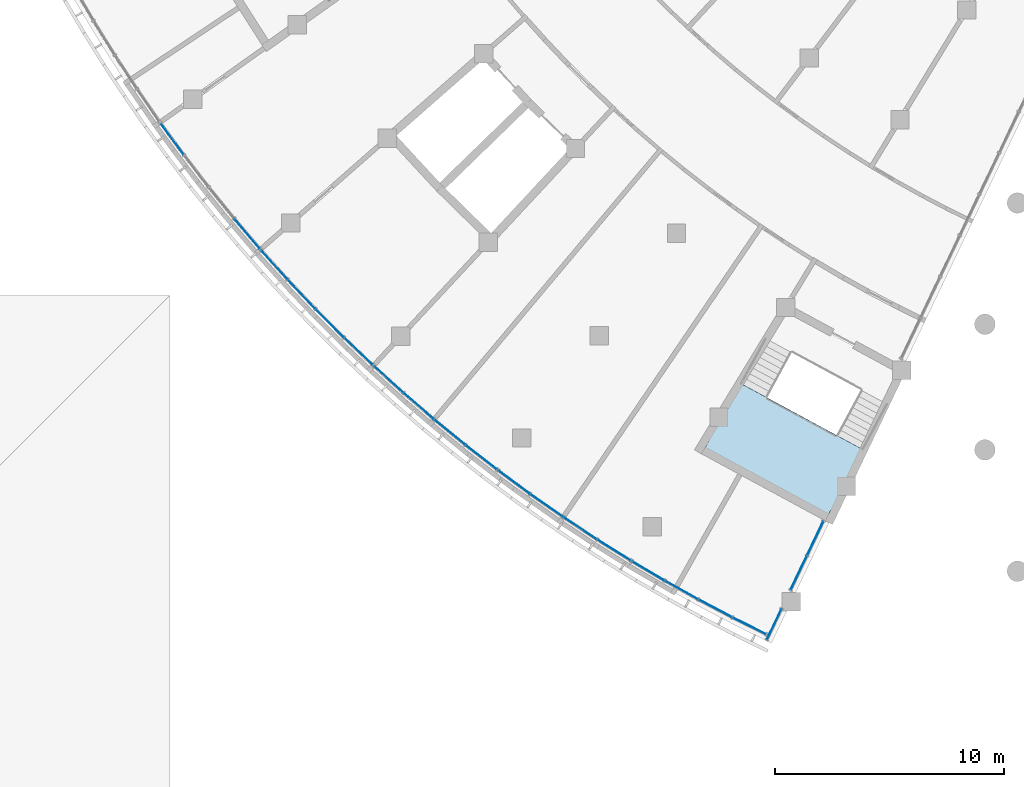
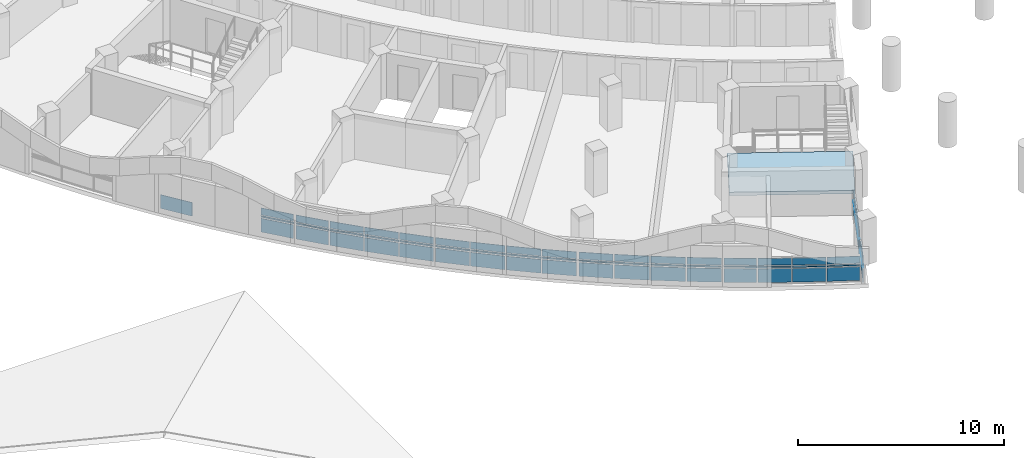
# One storey, part 25 of 89: 61 plates, 1 slab, 8 elements without a shape of their own.
"""IFC4 building model written with IfcOpenShell, lengths in metres."""

from ifc_helpers import new_model, si_unit, direction, frame, origin, origin_2d, place, context, subcontext, project, spatial, polyline, rectangle, outline, extrude, material, layer, layer_set, type_object, element, aggregate, save


model = new_model("IFC4")

# Units and contexts
model_context = context("Model", 3, precision=1e-05, world=origin(), true_north=direction((0.0, 1.0)))
body_context = subcontext(model_context, "Body", "Model", "MODEL_VIEW")
ifc_project = project(units=[si_unit("LENGTHUNIT", "METRE"), si_unit("AREAUNIT", "SQUARE_METRE"), si_unit("VOLUMEUNIT", "CUBIC_METRE"), si_unit("PLANEANGLEUNIT", "RADIAN"), si_unit("MASSUNIT", "GRAM", prefix="KILO")], contexts=[model_context])

# Site, building, storey
site_placement = place(None, origin())
site = spatial("IfcSite", under=ifc_project, at=site_placement, CompositionType="ELEMENT")
building_placement = place(site_placement, origin())
building = spatial("IfcBuilding", under=site, at=building_placement, Name="Bougainvillea Quay General Hospital", CompositionType="ELEMENT")
storey_placement = place(building_placement, frame((0.0, 0.0, 9.89990234375)))
storey = spatial("IfcBuildingStorey", under=building, at=storey_placement, Name="L01M", CompositionType="ELEMENT", Elevation=9.89990234375)

# Curtain wall, plates
ifc_material_1 = material(Name="Aluminium curtain wall system, powder-coated glazed", Category="aluminium")
curtain_wall_type_1 = type_object("IfcCurtainWallType", Name="Unitised curtain wall CW-2100", PredefinedType="NOTDEFINED", material=ifc_material_1)
curtain_wall_1_placement = place(storey_placement, origin())
curtain_wall_1 = element("IfcCurtainWall", 1, at=curtain_wall_1_placement, inside=storey, type_object=curtain_wall_type_1, Name="CW-W01 a01b0", PredefinedType="NOTDEFINED")
ifc_material_2 = material(Name="Insulated aluminium spandrel panel, white", Category="aluminium")
ifc_layer_1 = layer(ifc_material_2, 0.028076171875)
ifc_layer_set_1 = layer_set([ifc_layer_1], Name="Insulated aluminium spandrel panel, white")
plate_type_1 = type_object("IfcPlateType", Name="Insulated spandrel panel white 28", PredefinedType="CURTAIN_PANEL", material=ifc_layer_set_1)
plate_1_placement = place(storey_placement, frame((78.09912109375, 63.573486328125, 0.06005859375), z_axis=(0.0, 0.0, 1.0), x_axis=(-0.895166761772, 0.445731386172, 0.0)))
plate_1 = element("IfcPlate", 2, at=plate_1_placement, type_object=plate_type_1, Name="CW-W01 spandrel panel 1.1", PredefinedType="CURTAIN_PANEL", context=body_context, shape_type="SweptSolid", body=[
    extrude(rectangle(XDim=1.593994140625, YDim=0.028076171875, at=origin_2d()), origin(), (0.0, 0.0, 1.0), 0.81005859375),
])
plate_2_placement = place(storey_placement, frame((78.09912109375, 63.573486328125, 1.080078125), z_axis=(0.0, 0.0, 1.0), x_axis=(-0.895166761772, 0.445731386172, 0.0)))
plate_2 = element("IfcPlate", 3, at=plate_2_placement, type_object=plate_type_1, Name="CW-W01 spandrel panel 1.3", PredefinedType="CURTAIN_PANEL", context=body_context, shape_type="SweptSolid", body=[
    extrude(rectangle(XDim=1.593994140625, YDim=0.028076171875, at=origin_2d()), origin(), (0.0, 0.0, 1.0), 0.409912109375),
])
plate_3_placement = place(storey_placement, frame((76.6142578125, 64.33544921875, 0.06005859375), z_axis=(0.0, 0.0, 1.0), x_axis=(-0.88414485514, 0.467212879884, 0.0)))
plate_3 = element("IfcPlate", 4, at=plate_3_placement, type_object=plate_type_1, Name="CW-W01 spandrel panel 2.1", PredefinedType="CURTAIN_PANEL", context=body_context, shape_type="SweptSolid", body=[
    extrude(rectangle(XDim=1.6240234375, YDim=0.028076171875, at=origin_2d()), origin(), (0.0, 0.0, 1.0), 0.81005859375),
])
plate_4_placement = place(storey_placement, frame((76.6142578125, 64.33544921875, 1.080078125), z_axis=(0.0, 0.0, 1.0), x_axis=(-0.88414485514, 0.467212879884, 0.0)))
plate_4 = element("IfcPlate", 5, at=plate_4_placement, type_object=plate_type_1, Name="CW-W01 spandrel panel 2.3", PredefinedType="CURTAIN_PANEL", context=body_context, shape_type="SweptSolid", body=[
    extrude(rectangle(XDim=1.6240234375, YDim=0.028076171875, at=origin_2d()), origin(), (0.0, 0.0, 1.0), 0.409912109375),
])
plate_5_placement = place(storey_placement, frame((75.135009765625, 65.14013671875, 0.06005859375), z_axis=(0.0, 0.0, 1.0), x_axis=(-0.872607547761, 0.488422017922, 0.0)))
plate_5 = element("IfcPlate", 6, at=plate_5_placement, type_object=plate_type_1, Name="CW-W01 spandrel panel 3.1", PredefinedType="CURTAIN_PANEL", context=body_context, shape_type="SweptSolid", body=[
    extrude(rectangle(XDim=1.6240234375, YDim=0.028076171875, at=origin_2d()), origin(), (0.0, 0.0, 1.0), 0.81005859375),
])
plate_6_placement = place(storey_placement, frame((75.135009765625, 65.14013671875, 1.080078125), z_axis=(0.0, 0.0, 1.0), x_axis=(-0.872607547761, 0.488422017922, 0.0)))
plate_6 = element("IfcPlate", 7, at=plate_6_placement, type_object=plate_type_1, Name="CW-W01 spandrel panel 3.3", PredefinedType="CURTAIN_PANEL", context=body_context, shape_type="SweptSolid", body=[
    extrude(rectangle(XDim=1.6240234375, YDim=0.028076171875, at=origin_2d()), origin(), (0.0, 0.0, 1.0), 0.409912109375),
])
plate_7_placement = place(storey_placement, frame((73.6884765625, 65.97265625, 0.06005859375), z_axis=(0.0, 0.0, 1.0), x_axis=(-0.860561565158, 0.509346436695, 0.0)))
plate_7 = element("IfcPlate", 8, at=plate_7_placement, type_object=plate_type_1, Name="CW-W01 spandrel panel 4.1", PredefinedType="CURTAIN_PANEL", context=body_context, shape_type="SweptSolid", body=[
    extrude(rectangle(XDim=1.593994140625, YDim=0.028076171875, at=origin_2d()), origin(), (0.0, 0.0, 1.0), 0.81005859375),
])
plate_8_placement = place(storey_placement, frame((73.6884765625, 65.97265625, 1.080078125), z_axis=(0.0, 0.0, 1.0), x_axis=(-0.860561565158, 0.509346436695, 0.0)))
plate_8 = element("IfcPlate", 9, at=plate_8_placement, type_object=plate_type_1, Name="CW-W01 spandrel panel 4.3", PredefinedType="CURTAIN_PANEL", context=body_context, shape_type="SweptSolid", body=[
    extrude(rectangle(XDim=1.593994140625, YDim=0.028076171875, at=origin_2d()), origin(), (0.0, 0.0, 1.0), 0.409912109375),
])

curtain_wall_2_placement = place(storey_placement, origin())
curtain_wall_2 = element("IfcCurtainWall", 10, at=curtain_wall_2_placement, inside=storey, type_object=curtain_wall_type_1, Name="CW-W02 a01b1", PredefinedType="NOTDEFINED")
plate_9_placement = place(storey_placement, frame((72.188720703125, 66.88623046875, 0.06005859375), z_axis=(0.0, 0.0, 1.0), x_axis=(-0.847691824545, 0.530488991968, 0.0)))
plate_9 = element("IfcPlate", 11, at=plate_9_placement, type_object=plate_type_1, Name="CW-W02 spandrel panel 1.1", PredefinedType="CURTAIN_PANEL", context=body_context, shape_type="SweptSolid", body=[
    extrude(rectangle(XDim=1.6787109375, YDim=0.028076171875, at=origin_2d()), origin(), (0.0, 0.0, 1.0), 0.81005859375),
])
plate_10_placement = place(storey_placement, frame((72.188720703125, 66.88623046875, 1.080078125), z_axis=(0.0, 0.0, 1.0), x_axis=(-0.847691824545, 0.530488991968, 0.0)))
plate_10 = element("IfcPlate", 12, at=plate_10_placement, type_object=plate_type_1, Name="CW-W02 spandrel panel 1.3", PredefinedType="CURTAIN_PANEL", context=body_context, shape_type="SweptSolid", body=[
    extrude(rectangle(XDim=1.6787109375, YDim=0.028076171875, at=origin_2d()), origin(), (0.0, 0.0, 1.0), 0.409912109375),
])
plate_11_placement = place(storey_placement, frame((70.714111328125, 67.83544921875, 0.06005859375), z_axis=(0.0, 0.0, 1.0), x_axis=(-0.833967694391, 0.551813269787, 0.0)))
plate_11 = element("IfcPlate", 13, at=plate_11_placement, type_object=plate_type_1, Name="CW-W02 spandrel panel 2.1", PredefinedType="CURTAIN_PANEL", context=body_context, shape_type="SweptSolid", body=[
    extrude(rectangle(XDim=1.708740234375, YDim=0.028076171875, at=origin_2d()), origin(), (0.0, 0.0, 1.0), 0.81005859375),
])
plate_12_placement = place(storey_placement, frame((70.714111328125, 67.83544921875, 1.080078125), z_axis=(0.0, 0.0, 1.0), x_axis=(-0.833967694391, 0.551813269787, 0.0)))
plate_12 = element("IfcPlate", 14, at=plate_12_placement, type_object=plate_type_1, Name="CW-W02 spandrel panel 2.3", PredefinedType="CURTAIN_PANEL", context=body_context, shape_type="SweptSolid", body=[
    extrude(rectangle(XDim=1.708740234375, YDim=0.028076171875, at=origin_2d()), origin(), (0.0, 0.0, 1.0), 0.409912109375),
])
plate_13_placement = place(storey_placement, frame((69.251708984375, 68.830078125, 0.06005859375), z_axis=(0.0, 0.0, 1.0), x_axis=(-0.819707259149, 0.572782689419, 0.0)))
plate_13 = element("IfcPlate", 15, at=plate_13_placement, type_object=plate_type_1, Name="CW-W02 spandrel panel 3.1", PredefinedType="CURTAIN_PANEL", context=body_context, shape_type="SweptSolid", body=[
    extrude(rectangle(XDim=1.708740234375, YDim=0.028076171875, at=origin_2d()), origin(), (0.0, 0.0, 1.0), 0.81005859375),
])
plate_14_placement = place(storey_placement, frame((69.251708984375, 68.830078125, 1.080078125), z_axis=(0.0, 0.0, 1.0), x_axis=(-0.819707259149, 0.572782689419, 0.0)))
plate_14 = element("IfcPlate", 16, at=plate_14_placement, type_object=plate_type_1, Name="CW-W02 spandrel panel 3.3", PredefinedType="CURTAIN_PANEL", context=body_context, shape_type="SweptSolid", body=[
    extrude(rectangle(XDim=1.708740234375, YDim=0.028076171875, at=origin_2d()), origin(), (0.0, 0.0, 1.0), 0.409912109375),
])
plate_15_placement = place(storey_placement, frame((67.826904296875, 69.8525390625, 0.06005859375), z_axis=(0.0, 0.0, 1.0), x_axis=(-0.804919689373, 0.593383765922, 0.0)))
plate_15 = element("IfcPlate", 17, at=plate_15_placement, type_object=plate_type_1, Name="CW-W02 spandrel panel 4.1", PredefinedType="CURTAIN_PANEL", context=body_context, shape_type="SweptSolid", body=[
    extrude(rectangle(XDim=1.6787109375, YDim=0.028076171875, at=origin_2d()), origin(), (0.0, 0.0, 1.0), 0.81005859375),
])
plate_16_placement = place(storey_placement, frame((67.826904296875, 69.8525390625, 1.080078125), z_axis=(0.0, 0.0, 1.0), x_axis=(-0.804919689373, 0.593383765922, 0.0)))
plate_16 = element("IfcPlate", 18, at=plate_16_placement, type_object=plate_type_1, Name="CW-W02 spandrel panel 4.3", PredefinedType="CURTAIN_PANEL", context=body_context, shape_type="SweptSolid", body=[
    extrude(rectangle(XDim=1.6787109375, YDim=0.028076171875, at=origin_2d()), origin(), (0.0, 0.0, 1.0), 0.409912109375),
])

curtain_wall_3_placement = place(storey_placement, origin())
curtain_wall_3 = element("IfcCurtainWall", 19, at=curtain_wall_3_placement, inside=storey, type_object=curtain_wall_type_1, Name="CW-W03 a01b2", PredefinedType="NOTDEFINED")
plate_17_placement = place(storey_placement, frame((66.392822265625, 70.93798828125, 0.06005859375), z_axis=(0.0, 0.0, 1.0), x_axis=(-0.789614494602, 0.613603251226, 0.0)))
plate_17 = element("IfcPlate", 20, at=plate_17_placement, type_object=plate_type_1, Name="CW-W03 spandrel panel 1.1", PredefinedType="CURTAIN_PANEL", context=body_context, shape_type="SweptSolid", body=[
    extrude(rectangle(XDim=1.6787109375, YDim=0.028076171875, at=origin_2d()), origin(), (0.0, 0.0, 1.0), 0.81005859375),
])
plate_18_placement = place(storey_placement, frame((66.392822265625, 70.93798828125, 1.080078125), z_axis=(0.0, 0.0, 1.0), x_axis=(-0.789614494602, 0.613603251226, 0.0)))
plate_18 = element("IfcPlate", 21, at=plate_18_placement, type_object=plate_type_1, Name="CW-W03 spandrel panel 1.3", PredefinedType="CURTAIN_PANEL", context=body_context, shape_type="SweptSolid", body=[
    extrude(rectangle(XDim=1.6787109375, YDim=0.028076171875, at=origin_2d()), origin(), (0.0, 0.0, 1.0), 0.409912109375),
])
plate_19_placement = place(storey_placement, frame((65.02197265625, 72.03173828125, 0.06005859375), z_axis=(0.0, 0.0, 1.0), x_axis=(-0.773801517247, 0.633428142654, 0.0)))
plate_19 = element("IfcPlate", 22, at=plate_19_placement, type_object=plate_type_1, Name="CW-W03 spandrel panel 2.1", PredefinedType="CURTAIN_PANEL", context=body_context, shape_type="SweptSolid", body=[
    extrude(rectangle(XDim=1.708740234375, YDim=0.028076171875, at=origin_2d()), origin(), (0.0, 0.0, 1.0), 0.81005859375),
])
plate_20_placement = place(storey_placement, frame((65.02197265625, 72.03173828125, 1.080078125), z_axis=(0.0, 0.0, 1.0), x_axis=(-0.773801517247, 0.633428142654, 0.0)))
plate_20 = element("IfcPlate", 23, at=plate_20_placement, type_object=plate_type_1, Name="CW-W03 spandrel panel 2.3", PredefinedType="CURTAIN_PANEL", context=body_context, shape_type="SweptSolid", body=[
    extrude(rectangle(XDim=1.708740234375, YDim=0.028076171875, at=origin_2d()), origin(), (0.0, 0.0, 1.0), 0.409912109375),
])
plate_21_placement = place(storey_placement, frame((63.667724609375, 73.169189453125, 0.06005859375), z_axis=(0.0, 0.0, 1.0), x_axis=(-0.757490926264, 0.652845691283, 0.0)))
plate_21 = element("IfcPlate", 24, at=plate_21_placement, type_object=plate_type_1, Name="CW-W03 spandrel panel 3.1", PredefinedType="CURTAIN_PANEL", context=body_context, shape_type="SweptSolid", body=[
    extrude(rectangle(XDim=1.708740234375, YDim=0.028076171875, at=origin_2d()), origin(), (0.0, 0.0, 1.0), 0.81005859375),
])
plate_22_placement = place(storey_placement, frame((63.667724609375, 73.169189453125, 1.080078125), z_axis=(0.0, 0.0, 1.0), x_axis=(-0.757490926264, 0.652845691283, 0.0)))
plate_22 = element("IfcPlate", 25, at=plate_22_placement, type_object=plate_type_1, Name="CW-W03 spandrel panel 3.3", PredefinedType="CURTAIN_PANEL", context=body_context, shape_type="SweptSolid", body=[
    extrude(rectangle(XDim=1.708740234375, YDim=0.028076171875, at=origin_2d()), origin(), (0.0, 0.0, 1.0), 0.409912109375),
])
plate_23_placement = place(storey_placement, frame((62.353759765625, 74.330810546875, 0.06005859375), z_axis=(0.0, 0.0, 1.0), x_axis=(-0.740693210613, 0.671843410143, 0.0)))
plate_23 = element("IfcPlate", 26, at=plate_23_placement, type_object=plate_type_1, Name="CW-W03 spandrel panel 4.1", PredefinedType="CURTAIN_PANEL", context=body_context, shape_type="SweptSolid", body=[
    extrude(rectangle(XDim=1.6787109375, YDim=0.028076171875, at=origin_2d()), origin(), (0.0, 0.0, 1.0), 0.81005859375),
])
plate_24_placement = place(storey_placement, frame((62.353759765625, 74.330810546875, 1.080078125), z_axis=(0.0, 0.0, 1.0), x_axis=(-0.740693210613, 0.671843410143, 0.0)))
plate_24 = element("IfcPlate", 27, at=plate_24_placement, type_object=plate_type_1, Name="CW-W03 spandrel panel 4.3", PredefinedType="CURTAIN_PANEL", context=body_context, shape_type="SweptSolid", body=[
    extrude(rectangle(XDim=1.6787109375, YDim=0.028076171875, at=origin_2d()), origin(), (0.0, 0.0, 1.0), 0.409912109375),
])

curtain_wall_4_placement = place(storey_placement, origin())
curtain_wall_4 = element("IfcCurtainWall", 28, at=curtain_wall_4_placement, inside=storey, type_object=curtain_wall_type_1, Name="CW-W04 a01b3", PredefinedType="NOTDEFINED")
plate_25_placement = place(storey_placement, frame((61.037109375, 75.555908203125, 0.06005859375), z_axis=(0.0, 0.0, 1.0), x_axis=(-0.72341917251, 0.690409082244, 0.0)))
plate_25 = element("IfcPlate", 29, at=plate_25_placement, type_object=plate_type_1, Name="CW-W04 spandrel panel 1.1", PredefinedType="CURTAIN_PANEL", context=body_context, shape_type="SweptSolid", body=[
    extrude(rectangle(XDim=1.6787109375, YDim=0.028076171875, at=origin_2d()), origin(), (0.0, 0.0, 1.0), 0.81005859375),
])
plate_26_placement = place(storey_placement, frame((61.037109375, 75.555908203125, 1.080078125), z_axis=(0.0, 0.0, 1.0), x_axis=(-0.72341917251, 0.690409082244, 0.0)))
plate_26 = element("IfcPlate", 30, at=plate_26_placement, type_object=plate_type_1, Name="CW-W04 spandrel panel 1.3", PredefinedType="CURTAIN_PANEL", context=body_context, shape_type="SweptSolid", body=[
    extrude(rectangle(XDim=1.6787109375, YDim=0.028076171875, at=origin_2d()), origin(), (0.0, 0.0, 1.0), 0.409912109375),
])
plate_27_placement = place(storey_placement, frame((59.783935546875, 76.78271484375, 0.06005859375), z_axis=(0.0, 0.0, 1.0), x_axis=(-0.705679920485, 0.708530768439, 0.0)))
plate_27 = element("IfcPlate", 31, at=plate_27_placement, type_object=plate_type_1, Name="CW-W04 spandrel panel 2.1", PredefinedType="CURTAIN_PANEL", context=body_context, shape_type="SweptSolid", body=[
    extrude(rectangle(XDim=1.708740234375, YDim=0.028076171875, at=origin_2d()), origin(), (0.0, 0.0, 1.0), 0.81005859375),
])
plate_28_placement = place(storey_placement, frame((59.783935546875, 76.78271484375, 1.080078125), z_axis=(0.0, 0.0, 1.0), x_axis=(-0.705679920485, 0.708530768439, 0.0)))
plate_28 = element("IfcPlate", 32, at=plate_28_placement, type_object=plate_type_1, Name="CW-W04 spandrel panel 2.3", PredefinedType="CURTAIN_PANEL", context=body_context, shape_type="SweptSolid", body=[
    extrude(rectangle(XDim=1.708740234375, YDim=0.028076171875, at=origin_2d()), origin(), (0.0, 0.0, 1.0), 0.409912109375),
])
plate_29_placement = place(storey_placement, frame((58.5517578125, 78.0517578125, 0.06005859375), z_axis=(0.0, 0.0, 1.0), x_axis=(-0.687486862234, 0.726196815096, 0.0)))
plate_29 = element("IfcPlate", 33, at=plate_29_placement, type_object=plate_type_1, Name="CW-W04 spandrel panel 3.1", PredefinedType="CURTAIN_PANEL", context=body_context, shape_type="SweptSolid", body=[
    extrude(rectangle(XDim=1.708740234375, YDim=0.028076171875, at=origin_2d()), origin(), (0.0, 0.0, 1.0), 0.81005859375),
])
plate_30_placement = place(storey_placement, frame((58.5517578125, 78.0517578125, 1.080078125), z_axis=(0.0, 0.0, 1.0), x_axis=(-0.687486862234, 0.726196815096, 0.0)))
plate_30 = element("IfcPlate", 34, at=plate_30_placement, type_object=plate_type_1, Name="CW-W04 spandrel panel 3.3", PredefinedType="CURTAIN_PANEL", context=body_context, shape_type="SweptSolid", body=[
    extrude(rectangle(XDim=1.708740234375, YDim=0.028076171875, at=origin_2d()), origin(), (0.0, 0.0, 1.0), 0.409912109375),
])
plate_31_placement = place(storey_placement, frame((57.3623046875, 79.340087890625, 0.06005859375), z_axis=(0.0, 0.0, 1.0), x_axis=(-0.668851697289, 0.743395861593, 0.0)))
plate_31 = element("IfcPlate", 35, at=plate_31_placement, type_object=plate_type_1, Name="CW-W04 spandrel panel 4.1", PredefinedType="CURTAIN_PANEL", context=body_context, shape_type="SweptSolid", body=[
    extrude(rectangle(XDim=1.6787109375, YDim=0.028076171875, at=origin_2d()), origin(), (0.0, 0.0, 1.0), 0.81005859375),
])
plate_32_placement = place(storey_placement, frame((57.3623046875, 79.340087890625, 1.080078125), z_axis=(0.0, 0.0, 1.0), x_axis=(-0.668851697289, 0.743395861593, 0.0)))
plate_32 = element("IfcPlate", 36, at=plate_32_placement, type_object=plate_type_1, Name="CW-W04 spandrel panel 4.3", PredefinedType="CURTAIN_PANEL", context=body_context, shape_type="SweptSolid", body=[
    extrude(rectangle(XDim=1.6787109375, YDim=0.028076171875, at=origin_2d()), origin(), (0.0, 0.0, 1.0), 0.409912109375),
])

curtain_wall_5_placement = place(storey_placement, origin())
curtain_wall_5 = element("IfcCurtainWall", 37, at=curtain_wall_5_placement, inside=storey, type_object=curtain_wall_type_1, Name="CW-W05 a01b4", PredefinedType="NOTDEFINED")
plate_33_placement = place(storey_placement, frame((56.17626953125, 80.6923828125, 0.06005859375), z_axis=(0.0, 0.0, 1.0), x_axis=(-0.649786409486, 0.760116847627, 0.0)))
plate_33 = element("IfcPlate", 38, at=plate_33_placement, type_object=plate_type_1, Name="CW-W05 spandrel panel 1.1", PredefinedType="CURTAIN_PANEL", context=body_context, shape_type="SweptSolid", body=[
    extrude(rectangle(XDim=1.6787109375, YDim=0.028076171875, at=origin_2d()), origin(), (0.0, 0.0, 1.0), 0.81005859375),
])
plate_34_placement = place(storey_placement, frame((56.17626953125, 80.6923828125, 1.080078125), z_axis=(0.0, 0.0, 1.0), x_axis=(-0.649786409486, 0.760116847627, 0.0)))
plate_34 = element("IfcPlate", 39, at=plate_34_placement, type_object=plate_type_1, Name="CW-W05 spandrel panel 1.3", PredefinedType="CURTAIN_PANEL", context=body_context, shape_type="SweptSolid", body=[
    extrude(rectangle(XDim=1.6787109375, YDim=0.028076171875, at=origin_2d()), origin(), (0.0, 0.0, 1.0), 0.409912109375),
])
plate_35_placement = place(storey_placement, frame((52.90380859375, 84.829345703125, 0.06005859375), z_axis=(0.0, 0.0, 1.0), x_axis=(-0.590133748864, 0.807305492643, 0.0)))
plate_35 = element("IfcPlate", 40, at=plate_35_placement, type_object=plate_type_1, Name="CW-W05 spandrel panel 4.1", PredefinedType="CURTAIN_PANEL", context=body_context, shape_type="SweptSolid", body=[
    extrude(rectangle(XDim=1.6787109375, YDim=0.028076171875, at=origin_2d()), origin(), (0.0, 0.0, 1.0), 0.81005859375),
])

curtain_wall_type_2 = type_object("IfcCurtainWallType", Name="Unitised curtain wall CW-1580", PredefinedType="NOTDEFINED", material=ifc_material_1)
curtain_wall_6_placement = place(storey_placement, origin())
curtain_wall_6 = element("IfcCurtainWall", 41, at=curtain_wall_6_placement, inside=storey, type_object=curtain_wall_type_2, Name="CW-AE 00", PredefinedType="NOTDEFINED")
plate_36_placement = place(storey_placement, frame((79.178466796875, 63.6396484375, 0.06005859375), z_axis=(0.0, 0.0, 1.0), x_axis=(0.430525444112, 0.902578440897, 0.0)))
plate_36 = element("IfcPlate", 42, at=plate_36_placement, type_object=plate_type_1, Name="CW-AE spandrel panel 1.1", PredefinedType="CURTAIN_PANEL", context=body_context, shape_type="SweptSolid", body=[
    extrude(rectangle(XDim=1.459716796875, YDim=0.028076171875, at=origin_2d()), origin(), (0.0, 0.0, 1.0), 0.81005859375),
])
plate_37_placement = place(storey_placement, frame((79.178466796875, 63.6396484375, 1.080078125), z_axis=(0.0, 0.0, 1.0), x_axis=(0.430525444112, 0.902578440897, 0.0)))
plate_37 = element("IfcPlate", 43, at=plate_37_placement, type_object=plate_type_1, Name="CW-AE spandrel panel 1.3", PredefinedType="CURTAIN_PANEL", context=body_context, shape_type="SweptSolid", body=[
    extrude(rectangle(XDim=1.459716796875, YDim=0.028076171875, at=origin_2d()), origin(), (0.0, 0.0, 1.0), 0.409912109375),
])

curtain_wall_type_3 = type_object("IfcCurtainWallType", Name="Unitised curtain wall CW-1703", PredefinedType="NOTDEFINED", material=ifc_material_1)
curtain_wall_7_placement = place(storey_placement, origin())
curtain_wall_7 = element("IfcCurtainWall", 44, at=curtain_wall_7_placement, inside=storey, type_object=curtain_wall_type_3, Name="CW-AE 01", PredefinedType="NOTDEFINED")
plate_38_placement = place(storey_placement, frame((80.253173828125, 65.892822265625, 0.06005859375), z_axis=(0.0, 0.0, 1.0), x_axis=(0.430525444112, 0.902578440897, 0.0)))
plate_38 = element("IfcPlate", 45, at=plate_38_placement, type_object=plate_type_1, Name="CW-AE spandrel panel 1.1", PredefinedType="CURTAIN_PANEL", context=body_context, shape_type="SweptSolid", body=[
    extrude(rectangle(XDim=1.61279296875, YDim=0.028076171875, at=origin_2d()), origin(), (0.0, 0.0, 1.0), 0.81005859375),
])
plate_39_placement = place(storey_placement, frame((80.253173828125, 65.892822265625, 1.080078125), z_axis=(0.0, 0.0, 1.0), x_axis=(0.430525444112, 0.902578440897, 0.0)))
plate_39 = element("IfcPlate", 46, at=plate_39_placement, type_object=plate_type_1, Name="CW-AE spandrel panel 1.3", PredefinedType="CURTAIN_PANEL", context=body_context, shape_type="SweptSolid", body=[
    extrude(rectangle(XDim=1.61279296875, YDim=0.028076171875, at=origin_2d()), origin(), (0.0, 0.0, 1.0), 0.409912109375),
])
plate_40_placement = place(storey_placement, frame((80.973388671875, 67.402587890625, 0.06005859375), z_axis=(0.0, 0.0, 1.0), x_axis=(0.430525444112, 0.902578440897, 0.0)))
plate_40 = element("IfcPlate", 47, at=plate_40_placement, type_object=plate_type_1, Name="CW-AE spandrel panel 2.1", PredefinedType="CURTAIN_PANEL", context=body_context, shape_type="SweptSolid", body=[
    extrude(rectangle(XDim=1.61279296875, YDim=0.028076171875, at=origin_2d()), origin(), (0.0, 0.0, 1.0), 0.81005859375),
])
plate_41_placement = place(storey_placement, frame((80.973388671875, 67.402587890625, 1.080078125), z_axis=(0.0, 0.0, 1.0), x_axis=(0.430525444112, 0.902578440897, 0.0)))
plate_41 = element("IfcPlate", 48, at=plate_41_placement, type_object=plate_type_1, Name="CW-AE spandrel panel 2.3", PredefinedType="CURTAIN_PANEL", context=body_context, shape_type="SweptSolid", body=[
    extrude(rectangle(XDim=1.61279296875, YDim=0.028076171875, at=origin_2d()), origin(), (0.0, 0.0, 1.0), 0.409912109375),
])

# Plate
ifc_material_3 = material(Name="Low-e laminated glass, solar control", Category="glass")
ifc_layer_2 = layer(ifc_material_3, 0.028076171875)
ifc_layer_set_2 = layer_set([ifc_layer_2], Name="Low-e laminated glass, solar control")
plate_type_2 = type_object("IfcPlateType", Name="Low-e laminated vision glass 28", PredefinedType="CURTAIN_PANEL", material=ifc_layer_set_2)
plate_42_placement = place(storey_placement, frame((78.09912109375, 63.573486328125, 0.93017578125), z_axis=(0.0, 0.0, 1.0), x_axis=(-0.895166761772, 0.445731386172, 0.0)))
plate_42 = element("IfcPlate", 49, at=plate_42_placement, type_object=plate_type_2, Name="CW-W01 vision glass panel 1.2", PredefinedType="CURTAIN_PANEL", context=body_context, shape_type="SweptSolid", body=[
    extrude(rectangle(XDim=1.593994140625, YDim=0.028076171875, at=origin_2d()), origin(), (0.0, 0.0, 1.0), 0.090087890625),
])

plate_43_placement = place(storey_placement, frame((76.6142578125, 64.33544921875, 0.93017578125), z_axis=(0.0, 0.0, 1.0), x_axis=(-0.88414485514, 0.467212879884, 0.0)))
plate_43 = element("IfcPlate", 50, at=plate_43_placement, type_object=plate_type_2, Name="CW-W01 vision glass panel 2.2", PredefinedType="CURTAIN_PANEL", context=body_context, shape_type="SweptSolid", body=[
    extrude(rectangle(XDim=1.6240234375, YDim=0.028076171875, at=origin_2d()), origin(), (0.0, 0.0, 1.0), 0.090087890625),
])

plate_44_placement = place(storey_placement, frame((75.135009765625, 65.14013671875, 0.93017578125), z_axis=(0.0, 0.0, 1.0), x_axis=(-0.872607547761, 0.488422017922, 0.0)))
plate_44 = element("IfcPlate", 51, at=plate_44_placement, type_object=plate_type_2, Name="CW-W01 vision glass panel 3.2", PredefinedType="CURTAIN_PANEL", context=body_context, shape_type="SweptSolid", body=[
    extrude(rectangle(XDim=1.6240234375, YDim=0.028076171875, at=origin_2d()), origin(), (0.0, 0.0, 1.0), 0.090087890625),
])

plate_45_placement = place(storey_placement, frame((73.6884765625, 65.97265625, 0.93017578125), z_axis=(0.0, 0.0, 1.0), x_axis=(-0.860561565158, 0.509346436695, 0.0)))
plate_45 = element("IfcPlate", 52, at=plate_45_placement, type_object=plate_type_2, Name="CW-W01 vision glass panel 4.2", PredefinedType="CURTAIN_PANEL", context=body_context, shape_type="SweptSolid", body=[
    extrude(rectangle(XDim=1.593994140625, YDim=0.028076171875, at=origin_2d()), origin(), (0.0, 0.0, 1.0), 0.090087890625),
])

aggregate(curtain_wall_1, [plate_1, plate_42, plate_2, plate_3, plate_43, plate_4, plate_5, plate_44, plate_6, plate_7, plate_45, plate_8])

plate_46_placement = place(storey_placement, frame((72.188720703125, 66.88623046875, 0.93017578125), z_axis=(0.0, 0.0, 1.0), x_axis=(-0.847691824545, 0.530488991968, 0.0)))
plate_46 = element("IfcPlate", 53, at=plate_46_placement, type_object=plate_type_2, Name="CW-W02 vision glass panel 1.2", PredefinedType="CURTAIN_PANEL", context=body_context, shape_type="SweptSolid", body=[
    extrude(rectangle(XDim=1.6787109375, YDim=0.028076171875, at=origin_2d()), origin(), (0.0, 0.0, 1.0), 0.090087890625),
])

plate_47_placement = place(storey_placement, frame((70.714111328125, 67.83544921875, 0.93017578125), z_axis=(0.0, 0.0, 1.0), x_axis=(-0.833967694391, 0.551813269787, 0.0)))
plate_47 = element("IfcPlate", 54, at=plate_47_placement, type_object=plate_type_2, Name="CW-W02 vision glass panel 2.2", PredefinedType="CURTAIN_PANEL", context=body_context, shape_type="SweptSolid", body=[
    extrude(rectangle(XDim=1.708740234375, YDim=0.028076171875, at=origin_2d()), origin(), (0.0, 0.0, 1.0), 0.090087890625),
])

plate_48_placement = place(storey_placement, frame((69.251708984375, 68.830078125, 0.93017578125), z_axis=(0.0, 0.0, 1.0), x_axis=(-0.819707259149, 0.572782689419, 0.0)))
plate_48 = element("IfcPlate", 55, at=plate_48_placement, type_object=plate_type_2, Name="CW-W02 vision glass panel 3.2", PredefinedType="CURTAIN_PANEL", context=body_context, shape_type="SweptSolid", body=[
    extrude(rectangle(XDim=1.708740234375, YDim=0.028076171875, at=origin_2d()), origin(), (0.0, 0.0, 1.0), 0.090087890625),
])

plate_49_placement = place(storey_placement, frame((67.826904296875, 69.8525390625, 0.93017578125), z_axis=(0.0, 0.0, 1.0), x_axis=(-0.804919689373, 0.593383765922, 0.0)))
plate_49 = element("IfcPlate", 56, at=plate_49_placement, type_object=plate_type_2, Name="CW-W02 vision glass panel 4.2", PredefinedType="CURTAIN_PANEL", context=body_context, shape_type="SweptSolid", body=[
    extrude(rectangle(XDim=1.6787109375, YDim=0.028076171875, at=origin_2d()), origin(), (0.0, 0.0, 1.0), 0.090087890625),
])

aggregate(curtain_wall_2, [plate_9, plate_46, plate_10, plate_11, plate_47, plate_12, plate_13, plate_48, plate_14, plate_15, plate_49, plate_16])

plate_50_placement = place(storey_placement, frame((66.392822265625, 70.93798828125, 0.93017578125), z_axis=(0.0, 0.0, 1.0), x_axis=(-0.789614494602, 0.613603251226, 0.0)))
plate_50 = element("IfcPlate", 57, at=plate_50_placement, type_object=plate_type_2, Name="CW-W03 vision glass panel 1.2", PredefinedType="CURTAIN_PANEL", context=body_context, shape_type="SweptSolid", body=[
    extrude(rectangle(XDim=1.6787109375, YDim=0.028076171875, at=origin_2d()), origin(), (0.0, 0.0, 1.0), 0.090087890625),
])

plate_51_placement = place(storey_placement, frame((65.02197265625, 72.03173828125, 0.93017578125), z_axis=(0.0, 0.0, 1.0), x_axis=(-0.773801517247, 0.633428142654, 0.0)))
plate_51 = element("IfcPlate", 58, at=plate_51_placement, type_object=plate_type_2, Name="CW-W03 vision glass panel 2.2", PredefinedType="CURTAIN_PANEL", context=body_context, shape_type="SweptSolid", body=[
    extrude(rectangle(XDim=1.708740234375, YDim=0.028076171875, at=origin_2d()), origin(), (0.0, 0.0, 1.0), 0.090087890625),
])

plate_52_placement = place(storey_placement, frame((63.667724609375, 73.169189453125, 0.93017578125), z_axis=(0.0, 0.0, 1.0), x_axis=(-0.757490926264, 0.652845691283, 0.0)))
plate_52 = element("IfcPlate", 59, at=plate_52_placement, type_object=plate_type_2, Name="CW-W03 vision glass panel 3.2", PredefinedType="CURTAIN_PANEL", context=body_context, shape_type="SweptSolid", body=[
    extrude(rectangle(XDim=1.708740234375, YDim=0.028076171875, at=origin_2d()), origin(), (0.0, 0.0, 1.0), 0.090087890625),
])

plate_53_placement = place(storey_placement, frame((62.353759765625, 74.330810546875, 0.93017578125), z_axis=(0.0, 0.0, 1.0), x_axis=(-0.740693210613, 0.671843410143, 0.0)))
plate_53 = element("IfcPlate", 60, at=plate_53_placement, type_object=plate_type_2, Name="CW-W03 vision glass panel 4.2", PredefinedType="CURTAIN_PANEL", context=body_context, shape_type="SweptSolid", body=[
    extrude(rectangle(XDim=1.6787109375, YDim=0.028076171875, at=origin_2d()), origin(), (0.0, 0.0, 1.0), 0.090087890625),
])

aggregate(curtain_wall_3, [plate_17, plate_50, plate_18, plate_19, plate_51, plate_20, plate_21, plate_52, plate_22, plate_23, plate_53, plate_24])

plate_54_placement = place(storey_placement, frame((61.037109375, 75.555908203125, 0.93017578125), z_axis=(0.0, 0.0, 1.0), x_axis=(-0.72341917251, 0.690409082244, 0.0)))
plate_54 = element("IfcPlate", 61, at=plate_54_placement, type_object=plate_type_2, Name="CW-W04 vision glass panel 1.2", PredefinedType="CURTAIN_PANEL", context=body_context, shape_type="SweptSolid", body=[
    extrude(rectangle(XDim=1.6787109375, YDim=0.028076171875, at=origin_2d()), origin(), (0.0, 0.0, 1.0), 0.090087890625),
])

plate_55_placement = place(storey_placement, frame((59.783935546875, 76.78271484375, 0.93017578125), z_axis=(0.0, 0.0, 1.0), x_axis=(-0.705679920485, 0.708530768439, 0.0)))
plate_55 = element("IfcPlate", 62, at=plate_55_placement, type_object=plate_type_2, Name="CW-W04 vision glass panel 2.2", PredefinedType="CURTAIN_PANEL", context=body_context, shape_type="SweptSolid", body=[
    extrude(rectangle(XDim=1.708740234375, YDim=0.028076171875, at=origin_2d()), origin(), (0.0, 0.0, 1.0), 0.090087890625),
])

plate_56_placement = place(storey_placement, frame((58.5517578125, 78.0517578125, 0.93017578125), z_axis=(0.0, 0.0, 1.0), x_axis=(-0.687486862234, 0.726196815096, 0.0)))
plate_56 = element("IfcPlate", 63, at=plate_56_placement, type_object=plate_type_2, Name="CW-W04 vision glass panel 3.2", PredefinedType="CURTAIN_PANEL", context=body_context, shape_type="SweptSolid", body=[
    extrude(rectangle(XDim=1.708740234375, YDim=0.028076171875, at=origin_2d()), origin(), (0.0, 0.0, 1.0), 0.090087890625),
])

plate_57_placement = place(storey_placement, frame((57.3623046875, 79.340087890625, 0.93017578125), z_axis=(0.0, 0.0, 1.0), x_axis=(-0.668851697289, 0.743395861593, 0.0)))
plate_57 = element("IfcPlate", 64, at=plate_57_placement, type_object=plate_type_2, Name="CW-W04 vision glass panel 4.2", PredefinedType="CURTAIN_PANEL", context=body_context, shape_type="SweptSolid", body=[
    extrude(rectangle(XDim=1.6787109375, YDim=0.028076171875, at=origin_2d()), origin(), (0.0, 0.0, 1.0), 0.090087890625),
])

aggregate(curtain_wall_4, [plate_25, plate_54, plate_26, plate_27, plate_55, plate_28, plate_29, plate_56, plate_30, plate_31, plate_57, plate_32])

plate_58_placement = place(storey_placement, frame((56.17626953125, 80.6923828125, 0.93017578125), z_axis=(0.0, 0.0, 1.0), x_axis=(-0.649786409486, 0.760116847627, 0.0)))
plate_58 = element("IfcPlate", 65, at=plate_58_placement, type_object=plate_type_2, Name="CW-W05 vision glass panel 1.2", PredefinedType="CURTAIN_PANEL", context=body_context, shape_type="SweptSolid", body=[
    extrude(rectangle(XDim=1.6787109375, YDim=0.028076171875, at=origin_2d()), origin(), (0.0, 0.0, 1.0), 0.090087890625),
])

aggregate(curtain_wall_5, [plate_33, plate_58, plate_34, plate_35])

plate_59_placement = place(storey_placement, frame((79.178466796875, 63.6396484375, 0.93017578125), z_axis=(0.0, 0.0, 1.0), x_axis=(0.430525444112, 0.902578440897, 0.0)))
plate_59 = element("IfcPlate", 66, at=plate_59_placement, type_object=plate_type_2, Name="CW-AE vision glass panel 1.2", PredefinedType="CURTAIN_PANEL", context=body_context, shape_type="SweptSolid", body=[
    extrude(rectangle(XDim=1.459716796875, YDim=0.028076171875, at=origin_2d()), origin(), (0.0, 0.0, 1.0), 0.090087890625),
])

aggregate(curtain_wall_6, [plate_36, plate_59, plate_37])

plate_60_placement = place(storey_placement, frame((80.253173828125, 65.892822265625, 0.93017578125), z_axis=(0.0, 0.0, 1.0), x_axis=(0.430525444112, 0.902578440897, 0.0)))
plate_60 = element("IfcPlate", 67, at=plate_60_placement, type_object=plate_type_2, Name="CW-AE vision glass panel 1.2", PredefinedType="CURTAIN_PANEL", context=body_context, shape_type="SweptSolid", body=[
    extrude(rectangle(XDim=1.61279296875, YDim=0.028076171875, at=origin_2d()), origin(), (0.0, 0.0, 1.0), 0.090087890625),
])

plate_61_placement = place(storey_placement, frame((80.973388671875, 67.402587890625, 0.93017578125), z_axis=(0.0, 0.0, 1.0), x_axis=(0.430525444112, 0.902578440897, 0.0)))
plate_61 = element("IfcPlate", 68, at=plate_61_placement, type_object=plate_type_2, Name="CW-AE vision glass panel 2.2", PredefinedType="CURTAIN_PANEL", context=body_context, shape_type="SweptSolid", body=[
    extrude(rectangle(XDim=1.61279296875, YDim=0.028076171875, at=origin_2d()), origin(), (0.0, 0.0, 1.0), 0.090087890625),
])

aggregate(curtain_wall_7, [plate_38, plate_60, plate_39, plate_40, plate_61, plate_41])

# Stair, slab
ifc_material_4 = material(Name="Concrete C35", Category="concrete")
stair_type = type_object("IfcStairType", Name="Stair half-turn 1350 wide", PredefinedType="HALF_TURN_STAIR", material=ifc_material_4)
stair_placement = place(storey_placement, origin())
stair = element("IfcStair", 69, at=stair_placement, inside=storey, type_object=stair_type, Name="L01M stair ST-W1", PredefinedType="HALF_TURN_STAIR")
ifc_layer_3 = layer(ifc_material_4, 0.199951171875)
ifc_layer_set_3 = layer_set([ifc_layer_3], Name="Concrete C35")
slab_type = type_object("IfcSlabType", Name="Stair landing 200", PredefinedType="LANDING", material=ifc_layer_set_3)
slab_placement = place(storey_placement, frame((0.0, 0.0, 1.150146484375)))
slab = element("IfcSlab", 70, at=slab_placement, type_object=slab_type, Name="ST-W1 landing 1", PredefinedType="LANDING", context=body_context, shape_type="SweptSolid", body=[
    extrude(outline(polyline([(77.69140625, 74.175537109375), (76.109130859375, 71.25), (81.493896484375, 68.337646484375), (83.076171875, 71.26318359375), (77.69140625, 74.175537109375)])), origin(), (0.0, 0.0, 1.0), 0.199951171875),
])
aggregate(stair, [slab])

save(model, "model.ifc")
